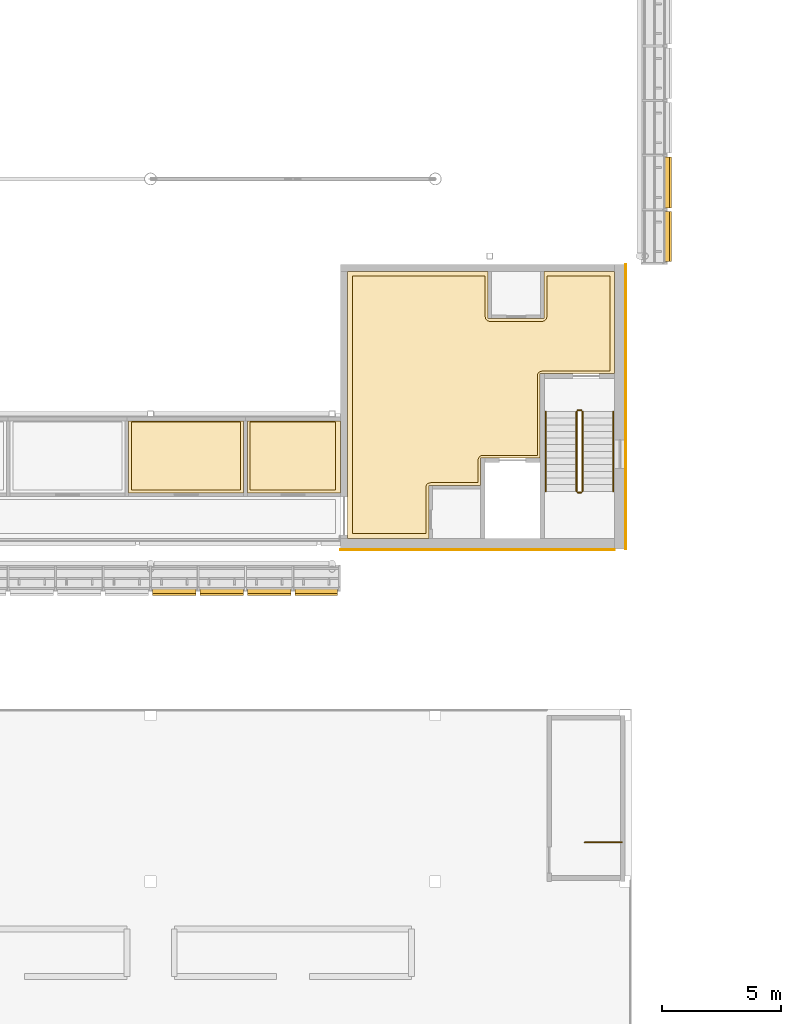
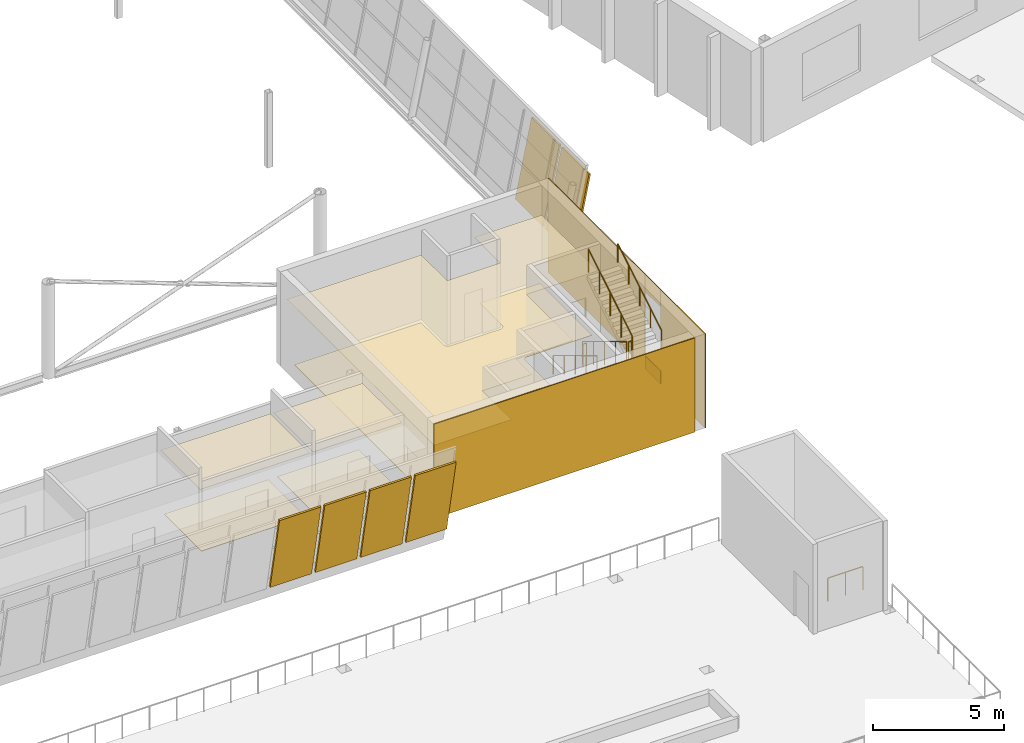
# One storey, part 89 of 95: 11 coverings, 7 railings, 6 shading devices.
"""IFC4 building model written with IfcOpenShell, lengths in metres."""

from ifc_helpers import new_model, si_unit, direction, frame, origin, origin_2d, place, context, subcontext, project, spatial, polyline, circle, outline, extrude, material, layer, layer_set, type_object, element, save


model = new_model("IFC4")

# Units and contexts
model_context = context("Model", 3, precision=1e-05, world=origin(), true_north=direction((0.0, 1.0)))
body_context = subcontext(model_context, "Body", "Model", "MODEL_VIEW")
ifc_project = project(units=[si_unit("LENGTHUNIT", "METRE"), si_unit("AREAUNIT", "SQUARE_METRE"), si_unit("VOLUMEUNIT", "CUBIC_METRE"), si_unit("PLANEANGLEUNIT", "RADIAN"), si_unit("MASSUNIT", "GRAM", prefix="KILO")], contexts=[model_context])

# Site, building, storey
site_placement = place(None, origin())
site = spatial("IfcSite", under=ifc_project, at=site_placement, CompositionType="ELEMENT")
building_placement = place(site_placement, origin())
building = spatial("IfcBuilding", under=site, at=building_placement, Name="Windward Yard Aquatics Centre", CompositionType="ELEMENT")
storey_placement = place(building_placement, frame((0.0, 0.0, 9.39990234375)))
storey = spatial("IfcBuildingStorey", under=building, at=storey_placement, Name="L02", CompositionType="ELEMENT", Elevation=9.39990234375)

# Railing
ifc_material_1 = material(Name="Stainless steel 1.4401", Category="steel")
railing_type_1 = type_object("IfcRailingType", Name="C Village stair 2 stair guard", PredefinedType="GUARDRAIL", material=ifc_material_1)
railing_1_placement = place(storey_placement, frame((151.85009765625, 13.64990234375, 0.0)))
element("IfcRailing", 1, at=railing_1_placement, inside=storey, type_object=railing_type_1, Name="L02 C-ST2 top well guard 1", PredefinedType="GUARDRAIL", context=body_context, shape_type="SweptSolid", body=[
    extrude(circle(Radius=0.02392578125, at=origin_2d()), frame((0.0, 0.0, 1.076171875), z_axis=(-1.0, 0.0, 0.0), x_axis=(0.0, -1.0, 0.0)), (0.0, 0.0, 1.0), 1.550048828125),
    extrude(circle(Radius=0.02099609375, at=origin_2d()), origin(), (0.0, 0.0, 1.0), 1.052001953125),
    extrude(circle(Radius=0.02099609375, at=origin_2d()), frame((-0.77490234375, 0.0, 0.0)), (0.0, 0.0, 1.0), 1.052001953125),
    extrude(circle(Radius=0.02099609375, at=origin_2d()), frame((-1.550048828125, 0.0, 0.0)), (0.0, 0.0, 1.0), 1.052001953125),
])

# Coverings
ifc_material_2 = material(Name="Polished screed")
ifc_layer_1 = layer(ifc_material_2, 0.0400390625)
ifc_layer_set_1 = layer_set([ifc_layer_1], Name="H Floor Finish Screed 40")
covering_type_1 = type_object("IfcCoveringType", Name="H Floor Finish Screed 40", PredefinedType="FLOORING", material=ifc_layer_set_1)
covering_1_placement = place(storey_placement, origin())
element("IfcCovering", 2, at=covering_1_placement, inside=storey, type_object=covering_type_1, Name="Core Lobby SE floor finish", PredefinedType="FLOORING", context=body_context, shape_type="SweptSolid", body=[
    extrude(outline(polyline([(140.5, 26.64990234375), (140.5, 37.5), (146.10009765625, 37.5), (146.10107421875, 35.780517578125), (146.108642578125, 35.741943359375), (146.115234375, 35.723388671875), (146.1337890625, 35.68896484375), (146.15869140625, 35.65869140625), (146.18896484375, 35.6337890625), (146.223388671875, 35.615234375), (146.260986328125, 35.603759765625), (146.300048828125, 35.60009765625), (148.5, 35.60009765625), (148.51953125, 35.60107421875), (148.55810546875, 35.608642578125), (148.59423828125, 35.62353515625), (148.626953125, 35.6455078125), (148.641357421875, 35.65869140625), (148.666259765625, 35.68896484375), (148.684814453125, 35.723388671875), (148.6962890625, 35.760986328125), (148.699951171875, 35.800048828125), (148.699951171875, 37.5), (151.35009765625, 37.5), (151.35009765625, 33.5), (148.5, 33.5), (148.48046875, 33.4990234375), (148.44189453125, 33.491455078125), (148.40576171875, 33.476318359375), (148.373046875, 33.45458984375), (148.358642578125, 33.44140625), (148.333740234375, 33.4111328125), (148.315185546875, 33.37646484375), (148.3037109375, 33.339111328125), (148.300048828125, 33.300048828125), (148.300048828125, 29.949951171875), (146.0, 29.949951171875), (145.9609375, 29.9462890625), (145.94189453125, 29.94140625), (145.923583984375, 29.934814453125), (145.888916015625, 29.916259765625), (145.858642578125, 29.891357421875), (145.845458984375, 29.876953125), (145.833740234375, 29.861083984375), (145.815185546875, 29.826416015625), (145.80859375, 29.80810546875), (145.801025390625, 29.76953125), (145.800048828125, 28.800048828125), (143.800048828125, 28.800048828125), (143.760986328125, 28.796142578125), (143.741943359375, 28.79150390625), (143.723388671875, 28.784912109375), (143.68896484375, 28.766357421875), (143.65869140625, 28.741455078125), (143.6337890625, 28.711181640625), (143.62353515625, 28.6943359375), (143.608642578125, 28.658203125), (143.60107421875, 28.61962890625), (143.60009765625, 28.60009765625), (143.60009765625, 26.64990234375), (140.5, 26.64990234375)])), origin(), (0.0, 0.0, 1.0), 0.02001953125),
])
ifc_material_3 = material(Name="Ceramic tile")
ifc_layer_2 = layer(ifc_material_3, 0.02001953125)
ifc_layer_set_2 = layer_set([ifc_layer_2], Name="H Floor Finish Tile 20")
covering_type_2 = type_object("IfcCoveringType", Name="H Floor Finish Tile 20", PredefinedType="FLOORING", material=ifc_layer_set_2)
covering_2_placement = place(storey_placement, origin())
element("IfcCovering", 3, at=covering_2_placement, inside=storey, type_object=covering_type_2, Name="Upper WC Women floor finish", PredefinedType="FLOORING", context=body_context, shape_type="SweptSolid", body=[
    extrude(outline(polyline([(131.199951171875, 28.5), (131.199951171875, 31.359619140625), (135.800048828125, 31.359619140625), (135.800048828125, 28.5), (131.199951171875, 28.5)])), origin(), (0.0, 0.0, 1.0), 0.02001953125),
])
covering_3_placement = place(storey_placement, origin())
element("IfcCovering", 4, at=covering_3_placement, inside=storey, type_object=covering_type_2, Name="Accessible WC floor finish", PredefinedType="FLOORING", context=body_context, shape_type="SweptSolid", body=[
    extrude(outline(polyline([(136.199951171875, 28.5), (136.199951171875, 31.359619140625), (139.800048828125, 31.359619140625), (139.800048828125, 28.5), (136.199951171875, 28.5)])), origin(), (0.0, 0.0, 1.0), 0.02001953125),
])

# Railings
ifc_material_4 = material(Name="Stainless steel 1.4529", Category="steel")
railing_type_2 = type_object("IfcRailingType", Name="H Guard Steel 1100", PredefinedType="GUARDRAIL", material=ifc_material_4)
railing_2_placement = place(storey_placement, frame((149.949951171875, 31.800048828125, 0.16943359375)))
element("IfcRailing", 5, at=railing_2_placement, inside=storey, type_object=railing_type_2, Name="L02 ST2 stair guard 1", PredefinedType="GUARDRAIL", context=body_context, shape_type="SweptSolid", body=[
    extrude(circle(Radius=0.02392578125, at=origin_2d()), frame((0.0, 0.0, 1.076171875), z_axis=(0.0, -0.855836976705, 0.517245656632), x_axis=(1.0, 0.0, 0.0)), (0.0, 0.0, 1.0), 3.926025390625),
    extrude(circle(Radius=0.02099609375, at=origin_2d()), origin(), (0.0, 0.0, 1.0), 1.052001953125),
    extrude(circle(Radius=0.02099609375, at=origin_2d()), frame((0.0, -0.840087890625, 0.5078125)), (0.0, 0.0, 1.0), 1.052001953125),
    extrude(circle(Radius=0.02099609375, at=origin_2d()), frame((0.0, -1.68017578125, 1.015380859375)), (0.0, 0.0, 1.0), 1.052001953125),
    extrude(circle(Radius=0.02099609375, at=origin_2d()), frame((0.0, -2.52001953125, 1.52294921875)), (0.0, 0.0, 1.0), 1.052001953125),
    extrude(circle(Radius=0.02099609375, at=origin_2d()), frame((0.0, -3.360107421875, 2.03076171875)), (0.0, 0.0, 1.0), 1.052001953125),
])
railing_3_placement = place(storey_placement, frame((150.0, 28.389892578125, 2.2001953125)))
element("IfcRailing", 6, at=railing_3_placement, inside=storey, type_object=railing_type_2, Name="L02 ST2 stair guard 2", PredefinedType="GUARDRAIL", context=body_context, shape_type="SweptSolid", body=[
    extrude(circle(Radius=0.02392578125, at=origin_2d()), frame((0.0, 0.0, 1.076171875), z_axis=(1.0, 0.0, 0.0), x_axis=(0.0, 1.0, 0.0)), (0.0, 0.0, 1.0), 0.14990234375),
    extrude(circle(Radius=0.02099609375, at=origin_2d()), origin(), (0.0, 0.0, 1.0), 1.052001953125),
    extrude(circle(Radius=0.02099609375, at=origin_2d()), frame((0.14990234375, 0.0, 0.0)), (0.0, 0.0, 1.0), 1.052001953125),
])
railing_4_placement = place(storey_placement, frame((150.199951171875, 28.43994140625, 2.369384765625)))
element("IfcRailing", 7, at=railing_4_placement, inside=storey, type_object=railing_type_2, Name="L02 ST2 stair guard 3", PredefinedType="GUARDRAIL", context=body_context, shape_type="SweptSolid", body=[
    extrude(circle(Radius=0.02392578125, at=origin_2d()), frame((0.0, 0.0, 1.076171875), z_axis=(0.0, 0.855836976705, 0.517245656632), x_axis=(-1.0, 0.0, 0.0)), (0.0, 0.0, 1.0), 3.926025390625),
    extrude(circle(Radius=0.02099609375, at=origin_2d()), origin(), (0.0, 0.0, 1.0), 1.052001953125),
    extrude(circle(Radius=0.02099609375, at=origin_2d()), frame((0.0, 0.840087890625, 0.5078125)), (0.0, 0.0, 1.0), 1.052001953125),
    extrude(circle(Radius=0.02099609375, at=origin_2d()), frame((0.0, 1.68017578125, 1.015380859375)), (0.0, 0.0, 1.0), 1.052001953125),
    extrude(circle(Radius=0.02099609375, at=origin_2d()), frame((0.0, 2.52001953125, 1.52294921875)), (0.0, 0.0, 1.0), 1.052001953125),
    extrude(circle(Radius=0.02099609375, at=origin_2d()), frame((0.0, 3.360107421875, 2.03076171875)), (0.0, 0.0, 1.0), 1.052001953125),
])
railing_5_placement = place(storey_placement, frame((150.0, 31.85009765625, 0.0)))
element("IfcRailing", 8, at=railing_5_placement, inside=storey, type_object=railing_type_2, Name="L02 ST2 stair guard 4", PredefinedType="GUARDRAIL", context=body_context, shape_type="SweptSolid", body=[
    extrude(circle(Radius=0.02392578125, at=origin_2d()), frame((0.0, 0.0, 1.076171875), z_axis=(1.0, 0.0, 0.0), x_axis=(0.0, 1.0, 0.0)), (0.0, 0.0, 1.0), 0.14990234375),
    extrude(circle(Radius=0.02099609375, at=origin_2d()), origin(), (0.0, 0.0, 1.0), 1.052001953125),
    extrude(circle(Radius=0.02099609375, at=origin_2d()), frame((0.14990234375, 0.0, 0.0)), (0.0, 0.0, 1.0), 1.052001953125),
])
railing_type_3 = type_object("IfcRailingType", Name="H Handrail Steel 900", PredefinedType="HANDRAIL", material=ifc_material_4)
railing_6_placement = place(storey_placement, frame((148.64990234375, 31.800048828125, 0.16943359375)))
element("IfcRailing", 9, at=railing_6_placement, inside=storey, type_object=railing_type_3, Name="L02 ST2 stair handrail 1", PredefinedType="HANDRAIL", context=body_context, shape_type="SweptSolid", body=[
    extrude(circle(Radius=0.02392578125, at=origin_2d()), frame((0.0, 0.0, 0.8759765625), z_axis=(0.0, -0.855836976705, 0.517245656632), x_axis=(1.0, 0.0, 0.0)), (0.0, 0.0, 1.0), 3.926025390625),
    extrude(circle(Radius=0.02099609375, at=origin_2d()), origin(), (0.0, 0.0, 1.0), 0.851806640625),
    extrude(circle(Radius=0.02099609375, at=origin_2d()), frame((0.0, -0.840087890625, 0.5078125)), (0.0, 0.0, 1.0), 0.851806640625),
    extrude(circle(Radius=0.02099609375, at=origin_2d()), frame((0.0, -1.68017578125, 1.015380859375)), (0.0, 0.0, 1.0), 0.851806640625),
    extrude(circle(Radius=0.02099609375, at=origin_2d()), frame((0.0, -2.52001953125, 1.52294921875)), (0.0, 0.0, 1.0), 0.851806640625),
    extrude(circle(Radius=0.02099609375, at=origin_2d()), frame((0.0, -3.360107421875, 2.03076171875)), (0.0, 0.0, 1.0), 0.851806640625),
])
railing_7_placement = place(storey_placement, frame((151.5, 28.43994140625, 2.369384765625)))
element("IfcRailing", 10, at=railing_7_placement, inside=storey, type_object=railing_type_3, Name="L02 ST2 stair handrail 2", PredefinedType="HANDRAIL", context=body_context, shape_type="SweptSolid", body=[
    extrude(circle(Radius=0.02392578125, at=origin_2d()), frame((0.0, 0.0, 0.8759765625), z_axis=(0.0, 0.855836976705, 0.517245656632), x_axis=(-1.0, 0.0, 0.0)), (0.0, 0.0, 1.0), 3.926025390625),
    extrude(circle(Radius=0.02099609375, at=origin_2d()), origin(), (0.0, 0.0, 1.0), 0.851806640625),
    extrude(circle(Radius=0.02099609375, at=origin_2d()), frame((0.0, 0.840087890625, 0.5078125)), (0.0, 0.0, 1.0), 0.851806640625),
    extrude(circle(Radius=0.02099609375, at=origin_2d()), frame((0.0, 1.68017578125, 1.015380859375)), (0.0, 0.0, 1.0), 0.851806640625),
    extrude(circle(Radius=0.02099609375, at=origin_2d()), frame((0.0, 2.52001953125, 1.52294921875)), (0.0, 0.0, 1.0), 0.851806640625),
    extrude(circle(Radius=0.02099609375, at=origin_2d()), frame((0.0, 3.360107421875, 2.03076171875)), (0.0, 0.0, 1.0), 0.851806640625),
])

# Coverings
ifc_material_5 = material(Name="Aluminium plank", Category="aluminium")
ifc_layer_3 = layer(ifc_material_5, 0.02001953125)
ifc_layer_set_3 = layer_set([ifc_layer_3], Name="H Moisture Resistant Ceiling")
covering_type_3 = type_object("IfcCoveringType", Name="H Moisture Resistant Ceiling", PredefinedType="CEILING", material=ifc_layer_set_3)
covering_4_placement = place(storey_placement, frame((0.0, 0.0, 3.0)))
element("IfcCovering", 11, at=covering_4_placement, inside=storey, type_object=covering_type_3, Name="Upper WC Women ceiling", PredefinedType="CEILING", context=body_context, shape_type="SweptSolid", body=[
    extrude(outline(polyline([(131.075439453125, 28.37548828125), (131.075439453125, 31.4091796875), (135.924560546875, 31.4091796875), (135.924560546875, 28.37548828125), (131.075439453125, 28.37548828125)])), origin(), (0.0, 0.0, 1.0), 0.02001953125),
])
covering_5_placement = place(storey_placement, frame((0.0, 0.0, 3.0)))
element("IfcCovering", 12, at=covering_5_placement, inside=storey, type_object=covering_type_3, Name="Accessible WC ceiling", PredefinedType="CEILING", context=body_context, shape_type="SweptSolid", body=[
    extrude(outline(polyline([(136.075439453125, 28.37548828125), (136.075439453125, 31.4091796875), (139.99951171875, 31.4091796875), (139.99951171875, 28.37548828125), (136.075439453125, 28.37548828125)])), origin(), (0.0, 0.0, 1.0), 0.02001953125),
])
ifc_material_6 = material(Name="Mineral fibre tile")
ifc_layer_4 = layer(ifc_material_6, 0.02001953125)
ifc_layer_set_4 = layer_set([ifc_layer_4], Name="H Suspended Ceiling 600 x 600")
covering_type_4 = type_object("IfcCoveringType", Name="H Suspended Ceiling 600 x 600", PredefinedType="CEILING", material=ifc_layer_set_4)
covering_6_placement = place(storey_placement, frame((0.0, 0.0, 3.0)))
element("IfcCovering", 13, at=covering_6_placement, inside=storey, type_object=covering_type_4, Name="Core Lobby SE ceiling", PredefinedType="CEILING", context=body_context, shape_type="SweptSolid", body=[
    extrude(outline(polyline([(140.300537109375, 26.450439453125), (140.300537109375, 37.699462890625), (146.224609375, 37.699462890625), (146.224609375, 35.72509765625), (146.375, 35.724609375), (148.575439453125, 35.72509765625), (148.575439453125, 37.699462890625), (151.549560546875, 37.699462890625), (151.549560546875, 33.400390625), (148.3994140625, 33.39990234375), (148.3994140625, 29.8505859375), (145.8994140625, 29.85009765625), (145.8994140625, 28.675537109375), (143.724609375, 28.675048828125), (143.724609375, 26.450439453125), (140.300537109375, 26.450439453125)])), origin(), (0.0, 0.0, 1.0), 0.02001953125),
])
ifc_material_7 = material(Name="Natural limestone cladding", Category="masonry")
ifc_layer_5 = layer(ifc_material_7, 0.0400390625)
ifc_layer_set_5 = layer_set([ifc_layer_5], Name="H natural stone cladding 40")
covering_type_5 = type_object("IfcCoveringType", Name="H natural stone cladding 40", PredefinedType="CLADDING", material=ifc_layer_set_5)
covering_7_placement = place(storey_placement, origin())
element("IfcCovering", 14, at=covering_7_placement, inside=storey, type_object=covering_type_5, Name="Stone cladding panel 94", PredefinedType="CLADDING", context=body_context, shape_type="SweptSolid", body=[
    extrude(outline(polyline([(152.0, 26.0), (152.0, 29.39990234375), (152.0400390625, 29.39990234375), (152.0400390625, 26.0), (152.0, 26.0)])), origin(), (0.0, 0.0, 1.0), 4.400146484375),
])
covering_8_placement = place(storey_placement, origin())
element("IfcCovering", 15, at=covering_8_placement, inside=storey, type_object=covering_type_5, Name="Stone cladding panel 95", PredefinedType="CLADDING", context=body_context, shape_type="SweptSolid", body=[
    extrude(outline(polyline([(152.0, 29.39990234375), (152.0, 30.60009765625), (152.0400390625, 30.60009765625), (152.0400390625, 29.39990234375), (152.0, 29.39990234375)])), origin(), (0.0, 0.0, 1.0), 0.60009765625),
])
covering_9_placement = place(storey_placement, frame((0.0, 0.0, 3.60009765625)))
element("IfcCovering", 16, at=covering_9_placement, inside=storey, type_object=covering_type_5, Name="Stone cladding panel 96", PredefinedType="CLADDING", context=body_context, shape_type="SweptSolid", body=[
    extrude(outline(polyline([(152.0, 29.39990234375), (152.0, 30.60009765625), (152.0400390625, 30.60009765625), (152.0400390625, 29.39990234375), (152.0, 29.39990234375)])), origin(), (0.0, 0.0, 1.0), 0.800048828125),
])
covering_10_placement = place(storey_placement, origin())
element("IfcCovering", 17, at=covering_10_placement, inside=storey, type_object=covering_type_5, Name="Stone cladding panel 97", PredefinedType="CLADDING", context=body_context, shape_type="SweptSolid", body=[
    extrude(outline(polyline([(152.0, 30.60009765625), (152.0, 38.0), (152.0400390625, 38.0), (152.0400390625, 30.60009765625), (152.0, 30.60009765625)])), origin(), (0.0, 0.0, 1.0), 4.400146484375),
])
covering_11_placement = place(storey_placement, origin())
element("IfcCovering", 18, at=covering_11_placement, inside=storey, type_object=covering_type_5, Name="Stone cladding panel 108", PredefinedType="CLADDING", context=body_context, shape_type="SweptSolid", body=[
    extrude(outline(polyline([(140.0, 25.9599609375), (151.550048828125, 25.9599609375), (151.550048828125, 26.0), (140.0, 26.0), (140.0, 25.9599609375)])), origin(), (0.0, 0.0, 1.0), 4.400146484375),
])

# Shading devices
ifc_material_8 = material(Name="Aluminium extruded louvre blades, powder coated", Category="aluminium")
ifc_layer_6 = layer(ifc_material_8, 0.080078125)
ifc_layer_set_6 = layer_set([ifc_layer_6], Name="H storm louvre shutter 1802x3637")
shading_device_type_1 = type_object("IfcShadingDeviceType", Name="H storm louvre shutter 1802x3637", PredefinedType="SHUTTER", material=ifc_layer_set_6)
for number, where, z_axis, x_axis, name in (
    (19, (132.08349609375, 24.125, 3.850830078125), (0.0, 0.97992466091, 0.19936814926), (0.0, 0.19936814926, -0.97992466091), "Storm louvre S L02 B16"),
    (20, (134.083251953125, 24.125, 3.850830078125), (0.0, 0.97992466091, 0.19936814926), (0.0, 0.19936814926, -0.97992466091), "Storm louvre S L02 B17"),
    (21, (136.0830078125, 24.125, 3.850830078125), (0.0, 0.97992466091, 0.19936814926), (0.0, 0.19936814926, -0.97992466091), "Storm louvre S L02 B18"),
):
    element("IfcShadingDevice", number, at=place(storey_placement, frame(where, z_axis=z_axis, x_axis=x_axis)), inside=storey, type_object=shading_device_type_1, Name=name, PredefinedType="SHUTTER", context=body_context, shape_type="SweptSolid", body=[
        extrude(outline(polyline([(0.0, 0.0), (3.636978, 0.0), (3.636978, -1.834717), (0.0, -1.834717), (0.0, 0.0)])), origin(), (0.0, 0.0, -1.0), 0.080078125),
    ])
shading_device_1_placement = place(storey_placement, frame((138.082763671875, 24.125, 3.850830078125), z_axis=(0.0, 0.97992466091, 0.19936814926), x_axis=(0.0, 0.19936814926, -0.97992466091)))
element("IfcShadingDevice", 22, at=shading_device_1_placement, inside=storey, type_object=shading_device_type_1, Name="Storm louvre S L02 B19", PredefinedType="SHUTTER", context=body_context, shape_type="SweptSolid", body=[
    extrude(outline(polyline([(0.0, 0.0), (3.636978, 0.0), (3.636978, -1.802246), (0.0, -1.802246), (0.0, 0.0)])), origin(), (0.0, 0.0, -1.0), 0.080078125),
])
ifc_layer_7 = layer(ifc_material_8, 0.080078125)
ifc_layer_set_7 = layer_set([ifc_layer_7], Name="H storm louvre shutter 2103x3637")
shading_device_type_2 = type_object("IfcShadingDeviceType", Name="H storm louvre shutter 2103x3637", PredefinedType="SHUTTER", material=ifc_layer_set_7)
shading_device_2_placement = place(storey_placement, frame((153.14990234375, 38.114990234375, 0.286865234375), z_axis=(-0.97992466091, 0.0, 0.19936814926), x_axis=(0.0, 1.0, 0.0)))
element("IfcShadingDevice", 23, at=shading_device_2_placement, inside=storey, type_object=shading_device_type_2, Name="Storm louvre E L02 A1", PredefinedType="SHUTTER", context=body_context, shape_type="SweptSolid", body=[
    extrude(outline(polyline([(0.0, 0.0), (2.102539, 0.0), (2.102539, -3.636978), (0.0, -3.636978), (0.0, 0.0)])), origin(), (0.0, 0.0, -1.0), 0.080078125),
])
shading_device_3_placement = place(storey_placement, frame((153.14990234375, 40.382568359375, 0.286865234375), z_axis=(-0.97992466091, 0.0, 0.19936814926), x_axis=(0.0, 1.0, 0.0)))
element("IfcShadingDevice", 24, at=shading_device_3_placement, inside=storey, type_object=shading_device_type_2, Name="Storm louvre E L02 A2", PredefinedType="SHUTTER", context=body_context, shape_type="SweptSolid", body=[
    extrude(outline(polyline([(0.0, 0.0), (2.13501, 0.0), (2.13501, -3.636978), (0.0, -3.636978), (0.0, 0.0)])), origin(), (0.0, 0.0, -1.0), 0.080078125),
])

save(model, "model.ifc")
